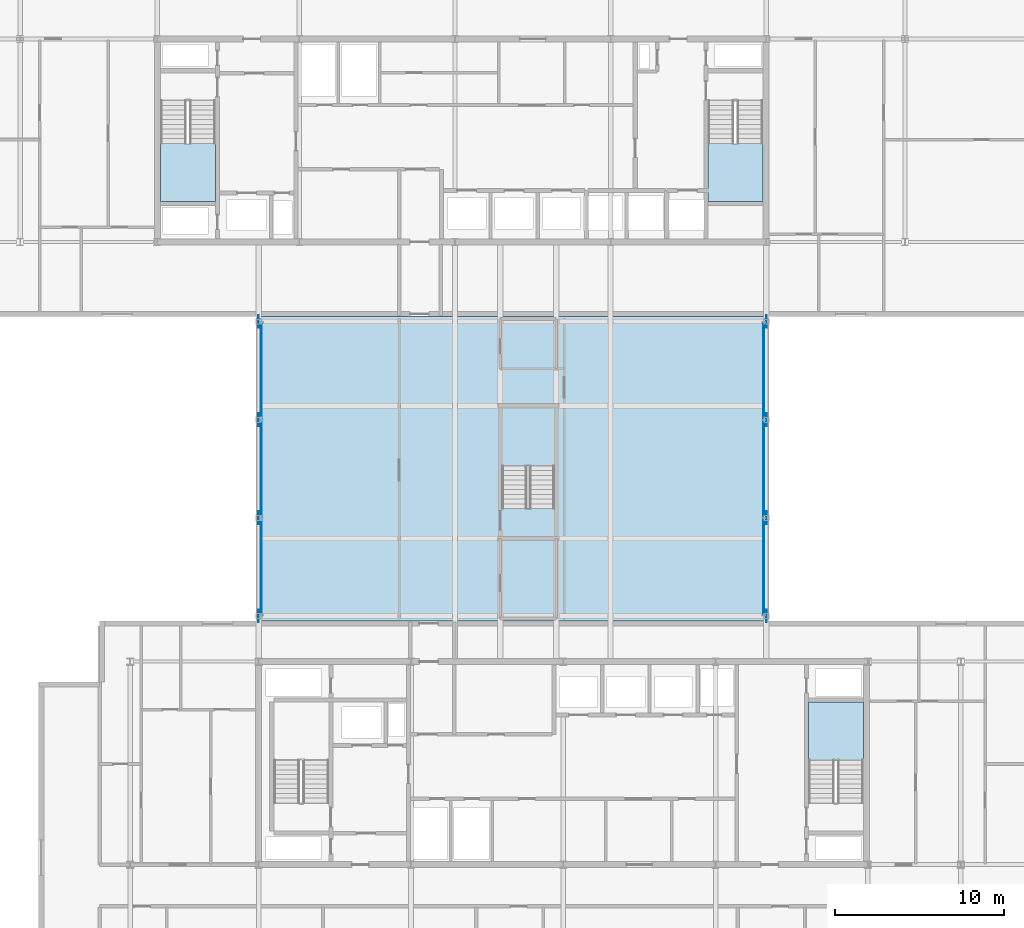
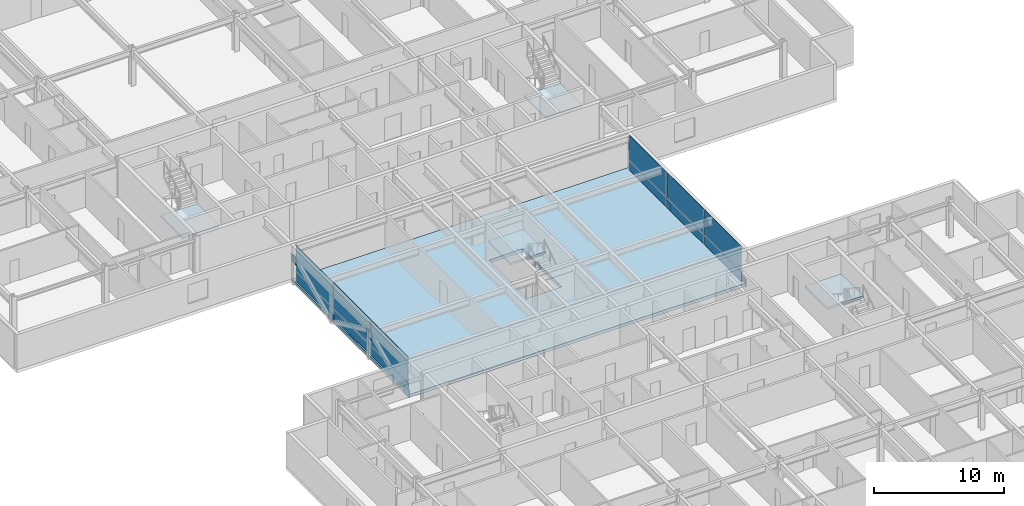
# One storey, part 15 of 36: 20 plates, 5 slabs, 6 elements without a shape of their own.
"""IFC4 building model written with IfcOpenShell, lengths in metres."""

from ifc_helpers import new_model, si_unit, direction, frame, origin, origin_2d, place, context, subcontext, project, spatial, polyline, rectangle, outline, extrude, material, layer, layer_set, type_object, element, aggregate, save


model = new_model("IFC4")

# Units and contexts
model_context = context("Model", 3, precision=1e-05, world=origin(), true_north=direction((0.0, 1.0)))
body_context = subcontext(model_context, "Body", "Model", "MODEL_VIEW")
ifc_project = project(units=[si_unit("LENGTHUNIT", "METRE"), si_unit("AREAUNIT", "SQUARE_METRE"), si_unit("VOLUMEUNIT", "CUBIC_METRE"), si_unit("PLANEANGLEUNIT", "RADIAN"), si_unit("MASSUNIT", "GRAM", prefix="KILO")], contexts=[model_context])

# Site, building, storey
site_placement = place(None, origin())
site = spatial("IfcSite", under=ifc_project, at=site_placement, CompositionType="ELEMENT")
building_placement = place(site_placement, origin())
building = spatial("IfcBuilding", under=site, at=building_placement, Name="Korimba Cascade Residences", CompositionType="ELEMENT")
storey_placement = place(building_placement, frame((0.0, 0.0, 142.89990234375)))
storey = spatial("IfcBuildingStorey", under=building, at=storey_placement, Name="L41", CompositionType="ELEMENT", Elevation=142.89990234375)

# Curtain wall, plates
ifc_material_1 = material(Name="Anodised Aluminium Curtain Wall Framing", Category="aluminium")
ifc_layer_1 = layer(ifc_material_1, 0.179931640625)
ifc_layer_set_1 = layer_set([ifc_layer_1], Name="Anodised Aluminium Curtain Wall Framing")
curtain_wall_type = type_object("IfcCurtainWallType", Name="CW-BRG-SYS3", PredefinedType="NOTDEFINED", material=ifc_layer_set_1)
curtain_wall_1_placement = place(storey_placement, origin())
curtain_wall_1 = element("IfcCurtainWall", 1, at=curtain_wall_1_placement, inside=storey, type_object=curtain_wall_type, Name="L41 Curtain Wall CW-L41-BRG-W", PredefinedType="NOTDEFINED")
ifc_material_2 = material(Name="Insulated Stone-Tone Spandrel Panel", Category="masonry")
ifc_layer_2 = layer(ifc_material_2, 0.0400390625)
ifc_layer_set_2 = layer_set([ifc_layer_2], Name="Insulated Stone-Tone Spandrel Panel")
plate_type_1 = type_object("IfcPlateType", Name="CWP-SPN-40", PredefinedType="USERDEFINED", material=ifc_layer_set_2)
plate_1_placement = place(storey_placement, frame((82.25, 36.02001953125, 0.000244140625), z_axis=(0.0, 0.0, 1.0), x_axis=(0.0, 1.0, 0.0)))
plate_1 = element("IfcPlate", 2, at=plate_1_placement, type_object=plate_type_1, Name="CW-L41-BRG-W Spandrel Panel 1", ObjectType="SPANDREL", PredefinedType="USERDEFINED", context=body_context, shape_type="SweptSolid", body=[
    extrude(rectangle(XDim=5.7099609375, YDim=0.0400390625, at=origin_2d()), origin(), (0.0, 0.0, 1.0), 0.89990234375),
])
plate_2_placement = place(storey_placement, frame((82.25, 41.800048828125, 0.000244140625), z_axis=(0.0, 0.0, 1.0), x_axis=(0.0, 1.0, 0.0)))
plate_2 = element("IfcPlate", 3, at=plate_2_placement, type_object=plate_type_1, Name="CW-L41-BRG-W Spandrel Panel 2", ObjectType="SPANDREL", PredefinedType="USERDEFINED", context=body_context, shape_type="SweptSolid", body=[
    extrude(rectangle(XDim=5.75, YDim=0.0400390625, at=origin_2d()), origin(), (0.0, 0.0, 1.0), 0.89990234375),
])
plate_3_placement = place(storey_placement, frame((82.25, 47.580078125, 0.000244140625), z_axis=(0.0, 0.0, 1.0), x_axis=(0.0, 1.0, 0.0)))
plate_3 = element("IfcPlate", 4, at=plate_3_placement, type_object=plate_type_1, Name="CW-L41-BRG-W Spandrel Panel 3", ObjectType="SPANDREL", PredefinedType="USERDEFINED", context=body_context, shape_type="SweptSolid", body=[
    extrude(rectangle(XDim=5.7099609375, YDim=0.0400390625, at=origin_2d()), origin(), (0.0, 0.0, 1.0), 0.89990234375),
])

curtain_wall_2_placement = place(storey_placement, origin())
curtain_wall_2 = element("IfcCurtainWall", 5, at=curtain_wall_2_placement, inside=storey, type_object=curtain_wall_type, Name="L41 Curtain Wall CW-L41-BRG-E", PredefinedType="NOTDEFINED")
plate_4_placement = place(storey_placement, frame((111.949951171875, 36.02001953125, 0.000244140625), z_axis=(0.0, 0.0, 1.0), x_axis=(0.0, 1.0, 0.0)))
plate_4 = element("IfcPlate", 6, at=plate_4_placement, type_object=plate_type_1, Name="CW-L41-BRG-E Spandrel Panel 1", ObjectType="SPANDREL", PredefinedType="USERDEFINED", context=body_context, shape_type="SweptSolid", body=[
    extrude(rectangle(XDim=5.7099609375, YDim=0.0400390625, at=origin_2d()), origin(), (0.0, 0.0, 1.0), 0.89990234375),
])
plate_5_placement = place(storey_placement, frame((111.949951171875, 41.800048828125, 0.000244140625), z_axis=(0.0, 0.0, 1.0), x_axis=(0.0, 1.0, 0.0)))
plate_5 = element("IfcPlate", 7, at=plate_5_placement, type_object=plate_type_1, Name="CW-L41-BRG-E Spandrel Panel 2", ObjectType="SPANDREL", PredefinedType="USERDEFINED", context=body_context, shape_type="SweptSolid", body=[
    extrude(rectangle(XDim=5.75, YDim=0.0400390625, at=origin_2d()), origin(), (0.0, 0.0, 1.0), 0.89990234375),
])
plate_6_placement = place(storey_placement, frame((111.949951171875, 47.580078125, 0.000244140625), z_axis=(0.0, 0.0, 1.0), x_axis=(0.0, 1.0, 0.0)))
plate_6 = element("IfcPlate", 8, at=plate_6_placement, type_object=plate_type_1, Name="CW-L41-BRG-E Spandrel Panel 3", ObjectType="SPANDREL", PredefinedType="USERDEFINED", context=body_context, shape_type="SweptSolid", body=[
    extrude(rectangle(XDim=5.7099609375, YDim=0.0400390625, at=origin_2d()), origin(), (0.0, 0.0, 1.0), 0.89990234375),
])

# Plate
ifc_material_3 = material(Name="Low-E Double Glazing Unit", Category="glass")
ifc_layer_3 = layer(ifc_material_3, 0.028076171875)
ifc_layer_set_3 = layer_set([ifc_layer_3], Name="Low-E Double Glazing Unit")
plate_type_2 = type_object("IfcPlateType", Name="CWP-VIS-28", PredefinedType="CURTAIN_PANEL", material=ifc_layer_set_3)
plate_7_placement = place(storey_placement, frame((82.25, 36.02001953125, 0.89990234375), z_axis=(0.0, 0.0, 1.0), x_axis=(0.0, 1.0, 0.0)))
plate_7 = element("IfcPlate", 9, at=plate_7_placement, type_object=plate_type_2, Name="CW-L41-BRG-W Vision Glass Panel 1", PredefinedType="CURTAIN_PANEL", context=body_context, shape_type="SweptSolid", body=[
    extrude(rectangle(XDim=5.7099609375, YDim=0.028076171875, at=origin_2d()), origin(), (0.0, 0.0, 1.0), 2.409912109375),
])

plate_8_placement = place(storey_placement, frame((82.25, 41.800048828125, 0.89990234375), z_axis=(0.0, 0.0, 1.0), x_axis=(0.0, 1.0, 0.0)))
plate_8 = element("IfcPlate", 10, at=plate_8_placement, type_object=plate_type_2, Name="CW-L41-BRG-W Vision Glass Panel 2", PredefinedType="CURTAIN_PANEL", context=body_context, shape_type="SweptSolid", body=[
    extrude(rectangle(XDim=5.75, YDim=0.028076171875, at=origin_2d()), origin(), (0.0, 0.0, 1.0), 2.409912109375),
])

plate_9_placement = place(storey_placement, frame((82.25, 47.580078125, 0.89990234375), z_axis=(0.0, 0.0, 1.0), x_axis=(0.0, 1.0, 0.0)))
plate_9 = element("IfcPlate", 11, at=plate_9_placement, type_object=plate_type_2, Name="CW-L41-BRG-W Vision Glass Panel 3", PredefinedType="CURTAIN_PANEL", context=body_context, shape_type="SweptSolid", body=[
    extrude(rectangle(XDim=5.7099609375, YDim=0.028076171875, at=origin_2d()), origin(), (0.0, 0.0, 1.0), 2.409912109375),
])

aggregate(curtain_wall_1, [plate_1, plate_7, plate_2, plate_8, plate_3, plate_9])

plate_10_placement = place(storey_placement, frame((111.949951171875, 36.02001953125, 0.89990234375), z_axis=(0.0, 0.0, 1.0), x_axis=(0.0, 1.0, 0.0)))
plate_10 = element("IfcPlate", 12, at=plate_10_placement, type_object=plate_type_2, Name="CW-L41-BRG-E Vision Glass Panel 1", PredefinedType="CURTAIN_PANEL", context=body_context, shape_type="SweptSolid", body=[
    extrude(rectangle(XDim=5.7099609375, YDim=0.028076171875, at=origin_2d()), origin(), (0.0, 0.0, 1.0), 2.409912109375),
])

plate_11_placement = place(storey_placement, frame((111.949951171875, 41.800048828125, 0.89990234375), z_axis=(0.0, 0.0, 1.0), x_axis=(0.0, 1.0, 0.0)))
plate_11 = element("IfcPlate", 13, at=plate_11_placement, type_object=plate_type_2, Name="CW-L41-BRG-E Vision Glass Panel 2", PredefinedType="CURTAIN_PANEL", context=body_context, shape_type="SweptSolid", body=[
    extrude(rectangle(XDim=5.75, YDim=0.028076171875, at=origin_2d()), origin(), (0.0, 0.0, 1.0), 2.409912109375),
])

plate_12_placement = place(storey_placement, frame((111.949951171875, 47.580078125, 0.89990234375), z_axis=(0.0, 0.0, 1.0), x_axis=(0.0, 1.0, 0.0)))
plate_12 = element("IfcPlate", 14, at=plate_12_placement, type_object=plate_type_2, Name="CW-L41-BRG-E Vision Glass Panel 3", PredefinedType="CURTAIN_PANEL", context=body_context, shape_type="SweptSolid", body=[
    extrude(rectangle(XDim=5.7099609375, YDim=0.028076171875, at=origin_2d()), origin(), (0.0, 0.0, 1.0), 2.409912109375),
])

aggregate(curtain_wall_2, [plate_4, plate_10, plate_5, plate_11, plate_6, plate_12])

# Plates
ifc_material_4 = material(Name="Steel S460", Category="steel")
ifc_layer_4 = layer(ifc_material_4, 0.031982421875)
ifc_layer_set_4 = layer_set([ifc_layer_4], Name="Steel S460")
plate_type_3 = type_object("IfcPlateType", Name="PLT-GUSSET-32", PredefinedType="USERDEFINED", material=ifc_layer_set_4)
for number, where, z_axis, x_axis, name in (
    (15, (82.10009765625, 33.10009765625, -0.284912109375), (0.0, 0.0, 1.0), (1.0, 0.0, 0.0), "L41 Warren Truss Node Gusset Plate MBN1 W1"),
    (16, (82.10009765625, 38.89990234375, 1.62841796875), (0.0, 0.0, 1.0), (1.0, 0.0, 0.0), "L41 Warren Truss Node Gusset Plate MBN1 W2"),
    (17, (82.10009765625, 44.699951171875, -0.284912109375), (0.0, 0.0, 1.0), (1.0, 0.0, 0.0), "L41 Warren Truss Node Gusset Plate MBN1 W3"),
    (18, (82.10009765625, 50.5, 1.62841796875), (0.0, 0.0, 1.0), (1.0, 0.0, 0.0), "L41 Warren Truss Node Gusset Plate MBN1 W4"),
    (19, (112.10009765625, 33.10009765625, -0.284912109375), (0.0, 0.0, 1.0), (1.0, 0.0, 0.0), "L41 Warren Truss Node Gusset Plate MBN1 E1"),
    (20, (112.10009765625, 38.89990234375, 1.62841796875), (0.0, 0.0, 1.0), (1.0, 0.0, 0.0), "L41 Warren Truss Node Gusset Plate MBN1 E2"),
    (21, (112.10009765625, 44.699951171875, -0.284912109375), (0.0, 0.0, 1.0), (1.0, 0.0, 0.0), "L41 Warren Truss Node Gusset Plate MBN1 E3"),
    (22, (112.10009765625, 50.5, 1.62841796875), (0.0, 0.0, 1.0), (1.0, 0.0, 0.0), "L41 Warren Truss Node Gusset Plate MBN1 E4"),
):
    element("IfcPlate", number, at=place(storey_placement, frame(where, z_axis=z_axis, x_axis=x_axis)), inside=storey, type_object=plate_type_3, Name=name, ObjectType="GUSSET PLATE", PredefinedType="USERDEFINED", context=body_context, shape_type="SweptSolid", body=[
        extrude(rectangle(XDim=0.031982421875, YDim=0.75, at=origin_2d()), origin(), (0.0, 0.0, 1.0), 0.75),
    ])

# Slab
ifc_material_5 = material(Name="Concrete C65/80", Category="concrete")
ifc_layer_5 = layer(ifc_material_5, 0.2900390625)
ifc_layer_set_5 = layer_set([ifc_layer_5], Name="Concrete C65/80")
slab_type_1 = type_object("IfcSlabType", Name="SLB-BRG-310", PredefinedType="FLOOR", material=ifc_layer_set_5)
slab_1_placement = place(storey_placement, frame((0.0, 0.0, -0.289794921875)))
element("IfcSlab", 23, at=slab_1_placement, inside=storey, type_object=slab_type_1, Name="L41 Mid-Bridge Floor Slab", PredefinedType="FLOOR", context=body_context, shape_type="SweptSolid", body=[
    extrude(outline(polyline([(82.10009765625, 32.800048828125), (112.10009765625, 32.800048828125), (112.10009765625, 50.800048828125), (82.10009765625, 50.800048828125), (82.10009765625, 32.800048828125)]), holes=[polyline([(99.56005859375, 39.485107421875), (99.56005859375, 45.39990234375), (96.5, 45.39990234375), (96.5, 39.485107421875), (99.56005859375, 39.485107421875)])]), origin(), (0.0, 0.0, 1.0), 0.289794921875),
])

# Stair, slab
ifc_material_6 = material(Name="Concrete C50/60", Category="concrete")
stair_type_1 = type_object("IfcStairType", Name="STR-W1-20R-1800", PredefinedType="HALF_TURN_STAIR", material=ifc_material_6)
stair_1_placement = place(storey_placement, origin())
stair_1 = element("IfcStair", 24, at=stair_1_placement, inside=storey, type_object=stair_type_1, Name="L41 Tower 1 West Fire Stair ST-W1", PredefinedType="HALF_TURN_STAIR")
ifc_layer_6 = layer(ifc_material_6, 0.199951171875)
ifc_layer_set_6 = layer_set([ifc_layer_6], Name="Concrete C50/60")
slab_type_2 = type_object("IfcSlabType", Name="SLB-LND-220", PredefinedType="LANDING", material=ifc_layer_set_6)
slab_2_placement = place(storey_placement, frame((0.0, 0.0, 1.60009765625)))
slab_2 = element("IfcSlab", 25, at=slab_2_placement, type_object=slab_type_2, Name="ST-W1 landing 1", PredefinedType="LANDING", context=body_context, shape_type="SweptSolid", body=[
    extrude(outline(polyline([(76.300048828125, 61.030029296875), (76.300048828125, 57.60009765625), (79.5400390625, 57.60009765625), (79.5400390625, 61.030029296875), (76.300048828125, 61.030029296875)])), origin(), (0.0, 0.0, 1.0), 0.199951171875),
])
aggregate(stair_1, [slab_2])

stair_type_2 = type_object("IfcStairType", Name="STR-W2-20R-1800", PredefinedType="HALF_TURN_STAIR", material=ifc_material_6)
stair_2_placement = place(storey_placement, origin())
stair_2 = element("IfcStair", 26, at=stair_2_placement, inside=storey, type_object=stair_type_2, Name="L41 Tower 1 East Fire Stair ST-W2", PredefinedType="HALF_TURN_STAIR")
slab_3_placement = place(storey_placement, frame((0.0, 0.0, 1.60009765625)))
slab_3 = element("IfcSlab", 27, at=slab_3_placement, type_object=slab_type_2, Name="ST-W2 landing 1", PredefinedType="LANDING", context=body_context, shape_type="SweptSolid", body=[
    extrude(outline(polyline([(108.659912109375, 61.030029296875), (108.659912109375, 57.60009765625), (111.89990234375, 57.60009765625), (111.89990234375, 61.030029296875), (108.659912109375, 61.030029296875)])), origin(), (0.0, 0.0, 1.0), 0.199951171875),
])
aggregate(stair_2, [slab_3])

stair_type_3 = type_object("IfcStairType", Name="STR-E2-20R-1800", PredefinedType="HALF_TURN_STAIR", material=ifc_material_6)
stair_3_placement = place(storey_placement, origin())
stair_3 = element("IfcStair", 28, at=stair_3_placement, inside=storey, type_object=stair_type_3, Name="L41 Tower 2 East Fire Stair ST-E2", PredefinedType="HALF_TURN_STAIR")
slab_4_placement = place(storey_placement, frame((0.0, 0.0, 1.60009765625)))
slab_4 = element("IfcSlab", 29, at=slab_4_placement, type_object=slab_type_2, Name="ST-E2 landing 1", PredefinedType="LANDING", context=body_context, shape_type="SweptSolid", body=[
    extrude(outline(polyline([(117.840087890625, 24.570068359375), (117.840087890625, 28.0), (114.60009765625, 28.0), (114.60009765625, 24.570068359375), (117.840087890625, 24.570068359375)])), origin(), (0.0, 0.0, 1.0), 0.199951171875),
])
aggregate(stair_3, [slab_4])

stair_type_4 = type_object("IfcStairType", Name="STR-BR1-20R-1800", PredefinedType="HALF_TURN_STAIR", material=ifc_material_6)
stair_4_placement = place(storey_placement, origin())
stair_4 = element("IfcStair", 30, at=stair_4_placement, inside=storey, type_object=stair_type_4, Name="L41 Mid-Bridge Feature Stair ST-BR1", PredefinedType="HALF_TURN_STAIR")
slab_5_placement = place(storey_placement, frame((0.0, 0.0, 1.60009765625)))
slab_5 = element("IfcSlab", 31, at=slab_5_placement, type_object=slab_type_2, Name="ST-BR1 landing 1", PredefinedType="LANDING", context=body_context, shape_type="SweptSolid", body=[
    extrude(outline(polyline([(96.4619140625, 41.969970703125), (99.597900390625, 41.969970703125), (99.597900390625, 45.43798828125), (96.4619140625, 45.43798828125), (96.4619140625, 41.969970703125)])), origin(), (0.0, 0.0, 1.0), 0.199951171875),
])
aggregate(stair_4, [slab_5])

save(model, "model.ifc")
